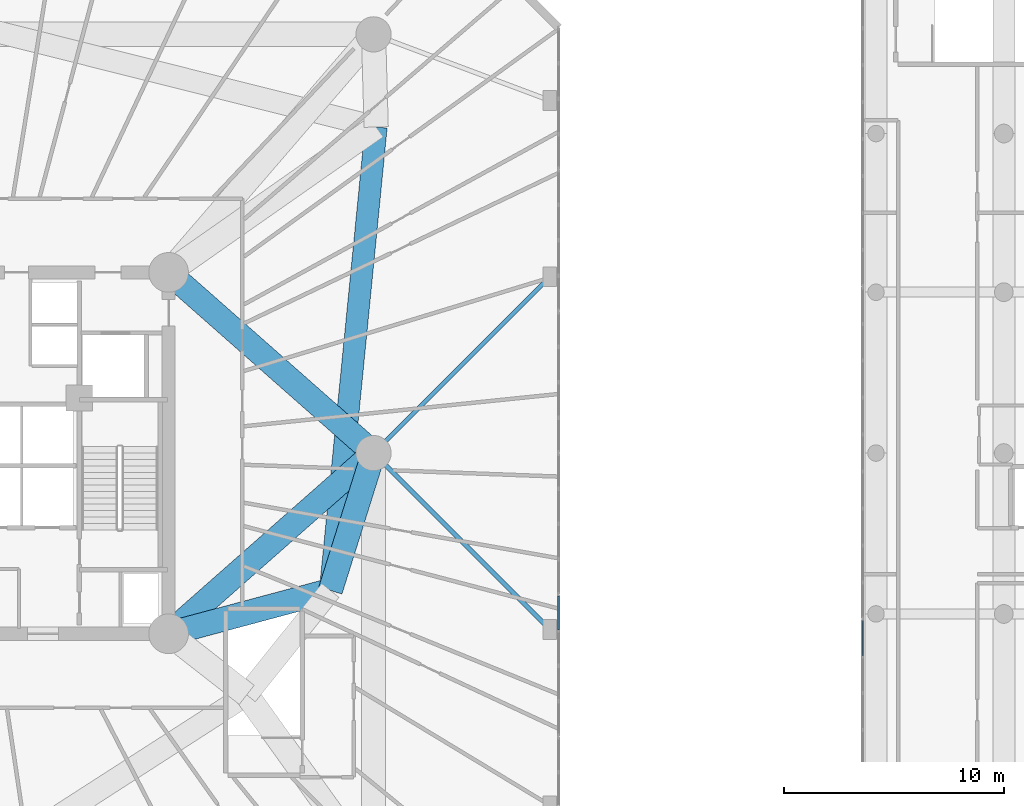
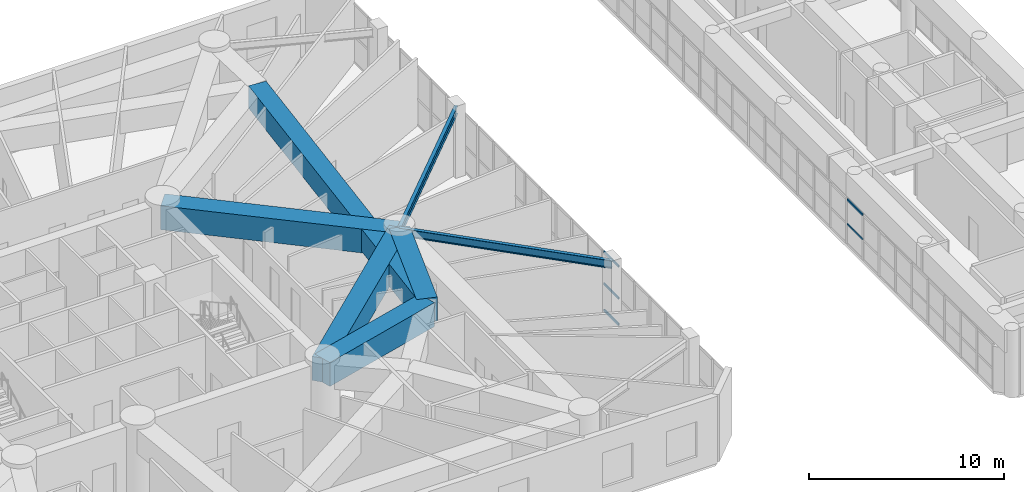
# One storey, part 3 of 22: 7 beams, 5 members, 2 elements without a shape of their own.
"""IFC4 building model written with IfcOpenShell, lengths in metres."""

from ifc_helpers import new_model, si_unit, direction, frame, origin, origin_with_axes, origin_2d, place, context, subcontext, project, spatial, rectangle, i_section, extrude, source, transform, mapped, material, layer, layer_set, material_profile, profile_set, type_object, element, aggregate, save


model = new_model("IFC4")

# Units and contexts
model_context = context("Model", 3, precision=1e-05, world=origin(), true_north=direction((0.0, 1.0)))
body_context = subcontext(model_context, "Body", "Model", "MODEL_VIEW")
ifc_project = project(units=[si_unit("LENGTHUNIT", "METRE"), si_unit("AREAUNIT", "SQUARE_METRE"), si_unit("VOLUMEUNIT", "CUBIC_METRE"), si_unit("PLANEANGLEUNIT", "RADIAN"), si_unit("MASSUNIT", "GRAM", prefix="KILO")], contexts=[model_context])

# Site, building, storey
site_placement = place(None, origin())
site = spatial("IfcSite", under=ifc_project, at=site_placement, CompositionType="ELEMENT")
building_placement = place(site_placement, origin())
building = spatial("IfcBuilding", under=site, at=building_placement, Name="Karkom Vertical University and Central Library", CompositionType="ELEMENT")
storey_placement = place(building_placement, frame((0.0, 0.0, 18.0)))
storey = spatial("IfcBuildingStorey", under=building, at=storey_placement, Name="L04", CompositionType="ELEMENT", Elevation=18.0)

# Beams
ifc_material_1 = material(Name="Steel S355", Category="steel")
ifc_material_profile_1 = material_profile(ifc_material_1, i_section(OverallWidth=0.199951171875, OverallDepth=0.5, WebThickness=0.01025390625, FlangeThickness=0.01611328125, FilletRadius=0.02099609375, at=origin_2d()), Name="IPE 500")
ifc_profile_set_1 = profile_set([ifc_material_profile_1], Name="Steel S355")
beam_type_1 = type_object("IfcBeamType", Name="STR-BM-SB-IPE500", PredefinedType="BEAM", material=ifc_profile_set_1)
shared_shape_1 = source(origin_with_axes(), body_context, "Body", "SweptSolid", [
    extrude(i_section(OverallWidth=0.199951171875, OverallDepth=0.5, WebThickness=0.01025390625, FlangeThickness=0.01611328125, FilletRadius=0.02099609375, at=origin_2d()), origin(), (0.0, 0.0, 1.0), 11.313720703125),
])
for number, where, z_axis, x_axis, name in (
    (1, (46.800048828125, 26.5, 3.97509765625), (0.707106781187, -0.707106781187, 0.0), (0.707106781187, 0.707106781187, 0.0), "Level 04 Arcade Tie Beam 2"),
    (2, (46.800048828125, 26.5, 3.97509765625), (0.707106781187, 0.707106781187, 0.0), (-0.707106781187, 0.707106781187, 0.0), "Level 04 Arcade Tie Beam 3"),
):
    element("IfcBeam", number, at=place(storey_placement, frame(where, z_axis=z_axis, x_axis=x_axis)), inside=storey, type_object=beam_type_1, Name=name, PredefinedType="BEAM", context=body_context, shape_type="MappedRepresentation", body=[
        mapped(shared_shape_1, transform((0.0, 0.0, 0.0), scale=1.0)),
    ])
ifc_material_2 = material(Name="Concrete C50/60", Category="concrete")
ifc_material_profile_2 = material_profile(ifc_material_2, rectangle(XDim=1.10009765625, YDim=1.5, at=origin_2d()), Name="TG-1100x1500")
ifc_profile_set_2 = profile_set([ifc_material_profile_2], Name="Concrete C50/60")
beam_type_2 = type_object("IfcBeamType", Name="STR-BM-TG-1", PredefinedType="USERDEFINED", material=ifc_profile_set_2)
shared_shape_2 = source(origin_with_axes(), body_context, "Body", "SweptSolid", [
    extrude(rectangle(XDim=1.10009765625, YDim=1.5, at=origin_2d()), origin(), (0.0, 0.0, 1.0), 7.60009765625),
])
beam_1_placement = place(storey_placement, frame((37.5, 18.300048828125, 3.47509765625), z_axis=(0.965925539322, 0.258820116077, 0.0), x_axis=(-0.258820116077, 0.965925539322, 0.0)))
element("IfcBeam", 3, at=beam_1_placement, inside=storey, type_object=beam_type_2, Name="Level 05 Transfer Girder SC-01", ObjectType="GIRDER", PredefinedType="USERDEFINED", context=body_context, shape_type="MappedRepresentation", body=[
    mapped(shared_shape_2, transform((0.0, 0.0, 0.0), scale=1.0)),
])
shared_shape_3 = source(origin_with_axes(), body_context, "Body", "SweptSolid", [
    extrude(rectangle(XDim=1.10009765625, YDim=1.5, at=origin_2d()), origin(), (0.0, 0.0, 1.0), 6.533447265625),
])
beam_2_placement = place(storey_placement, frame((46.800048828125, 26.5, 3.47509765625), z_axis=(-0.299836313369, -0.953990663049, 0.0), x_axis=(0.953990663049, -0.299836313369, 0.0)))
element("IfcBeam", 4, at=beam_2_placement, inside=storey, type_object=beam_type_2, Name="Level 05 Transfer Girder PMC-01", ObjectType="GIRDER", PredefinedType="USERDEFINED", context=body_context, shape_type="MappedRepresentation", body=[
    mapped(shared_shape_3, transform((0.0, 0.0, 0.0), scale=1.0)),
])
ifc_material_profile_3 = material_profile(ifc_material_2, rectangle(XDim=1.0, YDim=1.39990234375, at=origin_2d()), Name="TG-1000x1400")
ifc_profile_set_3 = profile_set([ifc_material_profile_3], Name="Concrete C50/60")
beam_type_3 = type_object("IfcBeamType", Name="STR-BM-TG-2", PredefinedType="USERDEFINED", material=ifc_profile_set_3)
shared_shape_4 = source(origin_with_axes(), body_context, "Body", "SweptSolid", [
    extrude(rectangle(XDim=1.0, YDim=1.39990234375, at=origin_2d()), origin(), (0.0, 0.0, 1.0), 21.13134765625),
])
beam_3_placement = place(storey_placement, frame((44.841064453125, 20.26708984375, 3.52490234375), z_axis=(0.0983780471, 0.995149114379, 0.0), x_axis=(-0.995149114379, 0.0983780471, 0.0)))
element("IfcBeam", 5, at=beam_3_placement, inside=storey, type_object=beam_type_3, Name="Level 05 Perimeter Transfer Ring 01", ObjectType="GIRDER", PredefinedType="USERDEFINED", context=body_context, shape_type="MappedRepresentation", body=[
    mapped(shared_shape_4, transform((0.0, 0.0, 0.0), scale=1.0)),
])
shared_shape_5 = source(origin_with_axes(), body_context, "Body", "SweptSolid", [
    extrude(rectangle(XDim=1.10009765625, YDim=1.5, at=origin_2d()), origin(), (0.0, 0.0, 1.0), 12.398681640625),
])
for number, where, z_axis, x_axis, name in (
    (6, (46.800048828125, 26.5, 3.47509765625), (-0.75007685274, -0.661350674743, 0.0), (0.661350674743, -0.75007685274, 0.0), "Level 04 Podium Primary Girder 17"),
    (7, (46.800048828125, 26.5, 3.47509765625), (-0.75007685274, 0.661350674743, 0.0), (-0.661350674743, -0.75007685274, 0.0), "Level 04 Podium Primary Girder 18"),
):
    element("IfcBeam", number, at=place(storey_placement, frame(where, z_axis=z_axis, x_axis=x_axis)), inside=storey, type_object=beam_type_2, Name=name, ObjectType="GIRDER", PredefinedType="USERDEFINED", context=body_context, shape_type="MappedRepresentation", body=[
        mapped(shared_shape_5, transform((0.0, 0.0, 0.0), scale=1.0)),
    ])

# Curtain wall, members
ifc_material_3 = material(Name="Aluminium curtain-wall framing and low-E IGU", Category="aluminium")
ifc_layer_1 = layer(ifc_material_3, 0.199951171875)
ifc_layer_set_1 = layer_set([ifc_layer_1], Name="Aluminium curtain-wall framing and low-E IGU")
curtain_wall_type_1 = type_object("IfcCurtainWallType", Name="ENV-CW-4", PredefinedType="USERDEFINED", material=ifc_layer_set_1)
curtain_wall_1_placement = place(storey_placement, origin())
curtain_wall_1 = element("IfcCurtainWall", 8, at=curtain_wall_1_placement, inside=storey, type_object=curtain_wall_type_1, Name="Level 04 CW-4 Curtain Wall Level 04-CW4-3-2", ObjectType="UNITISED GLAZING", PredefinedType="USERDEFINED")
ifc_material_4 = material(Name="Anodised Aluminium 6063-T6", Category="aluminium")
ifc_material_profile_4 = material_profile(ifc_material_4, rectangle(XDim=0.06494140625, YDim=0.135009765625, at=origin_2d()), Name="ALU-T65x135")
ifc_profile_set_4 = profile_set([ifc_material_profile_4], Name="Anodised Aluminium 6063-T6")
member_type_1 = type_object("IfcMemberType", Name="ENV-MEM-ALU-T65x135", PredefinedType="USERDEFINED", material=ifc_profile_set_4)
shared_shape_6 = source(origin_with_axes(), body_context, "Body", "SweptSolid", [
    extrude(rectangle(XDim=0.06494140625, YDim=0.135009765625, at=origin_2d()), origin(), (0.0, 0.0, 1.0), 1.5107421875),
])
member_1_placement = place(storey_placement, frame((55.199951171875, 18.490966796875, 0.032470703125), z_axis=(0.0, 1.0, 0.0), x_axis=(-1.0, 0.0, 0.0)))
member_1 = element("IfcMember", 9, at=member_1_placement, type_object=member_type_1, Name="CW-4 transom 4.1", ObjectType="TRANSOM", PredefinedType="USERDEFINED", context=body_context, shape_type="MappedRepresentation", body=[
    mapped(shared_shape_6, transform((0.0, 0.0, 0.0), scale=1.0)),
])
member_2_placement = place(storey_placement, frame((55.199951171875, 18.490966796875, 1.67626953125), z_axis=(0.0, 1.0, 0.0), x_axis=(-1.0, 0.0, 0.0)))
member_2 = element("IfcMember", 10, at=member_2_placement, type_object=member_type_1, Name="CW-4 transom 4.2", ObjectType="TRANSOM", PredefinedType="USERDEFINED", context=body_context, shape_type="MappedRepresentation", body=[
    mapped(shared_shape_6, transform((0.0, 0.0, 0.0), scale=1.0)),
])
member_3_placement = place(storey_placement, frame((55.199951171875, 18.490966796875, 3.6923828125), z_axis=(0.0, 1.0, 0.0), x_axis=(-1.0, 0.0, 0.0)))
member_3 = element("IfcMember", 11, at=member_3_placement, type_object=member_type_1, Name="CW-4 transom 4.3", ObjectType="TRANSOM", PredefinedType="USERDEFINED", context=body_context, shape_type="MappedRepresentation", body=[
    mapped(shared_shape_6, transform((0.0, 0.0, 0.0), scale=1.0)),
])
aggregate(curtain_wall_1, [member_1, member_2, member_3])

ifc_layer_2 = layer(ifc_material_3, 0.199951171875)
ifc_layer_set_2 = layer_set([ifc_layer_2], Name="Aluminium curtain-wall framing and low-E IGU")
curtain_wall_type_2 = type_object("IfcCurtainWallType", Name="ENV-CW-2", PredefinedType="USERDEFINED", material=ifc_layer_set_2)
curtain_wall_2_placement = place(storey_placement, origin())
curtain_wall_2 = element("IfcCurtainWall", 12, at=curtain_wall_2_placement, inside=storey, type_object=curtain_wall_type_2, Name="Level 04 CW-2 Curtain Wall Level 04-CW2-7-3", ObjectType="STICK MULLION GLAZING", PredefinedType="USERDEFINED")
ifc_material_profile_5 = material_profile(ifc_material_4, rectangle(XDim=0.06005859375, YDim=0.1201171875, at=origin_2d()), Name="ALU-T60x120")
ifc_profile_set_5 = profile_set([ifc_material_profile_5], Name="Anodised Aluminium 6063-T6")
member_type_2 = type_object("IfcMemberType", Name="ENV-MEM-ALU-T60x120", PredefinedType="USERDEFINED", material=ifc_profile_set_5)
shared_shape_7 = source(origin_with_axes(), body_context, "Body", "SweptSolid", [
    extrude(rectangle(XDim=0.06005859375, YDim=0.1201171875, at=origin_2d()), origin(), (0.0, 0.0, 1.0), 1.58642578125),
])
member_4_placement = place(storey_placement, frame((69.0, 18.896728515625, 1.271240234375), z_axis=(0.0, -1.0, 0.0), x_axis=(1.0, 0.0, 0.0)))
member_4 = element("IfcMember", 13, at=member_4_placement, type_object=member_type_2, Name="CW-2 transom 1.2", ObjectType="TRANSOM", PredefinedType="USERDEFINED", context=body_context, shape_type="MappedRepresentation", body=[
    mapped(shared_shape_7, transform((0.0, 0.0, 0.0), scale=1.0)),
])
member_5_placement = place(storey_placement, frame((69.0, 18.896728515625, 2.794921875), z_axis=(0.0, -1.0, 0.0), x_axis=(1.0, 0.0, 0.0)))
member_5 = element("IfcMember", 14, at=member_5_placement, type_object=member_type_2, Name="CW-2 transom 1.3", ObjectType="TRANSOM", PredefinedType="USERDEFINED", context=body_context, shape_type="MappedRepresentation", body=[
    mapped(shared_shape_7, transform((0.0, 0.0, 0.0), scale=1.0)),
])
aggregate(curtain_wall_2, [member_4, member_5])

save(model, "model.ifc")
